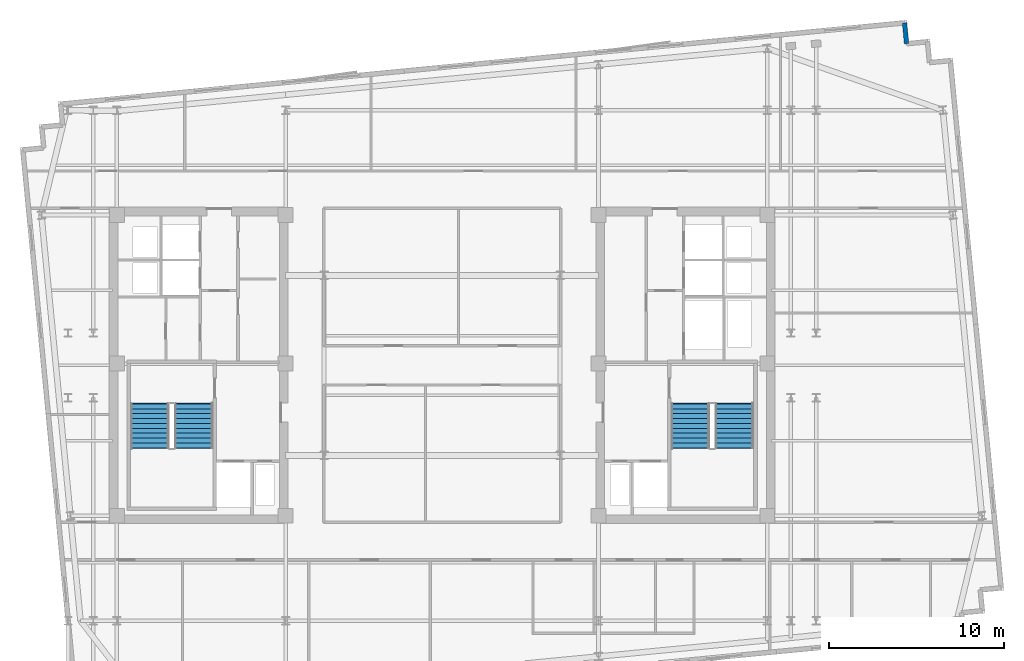
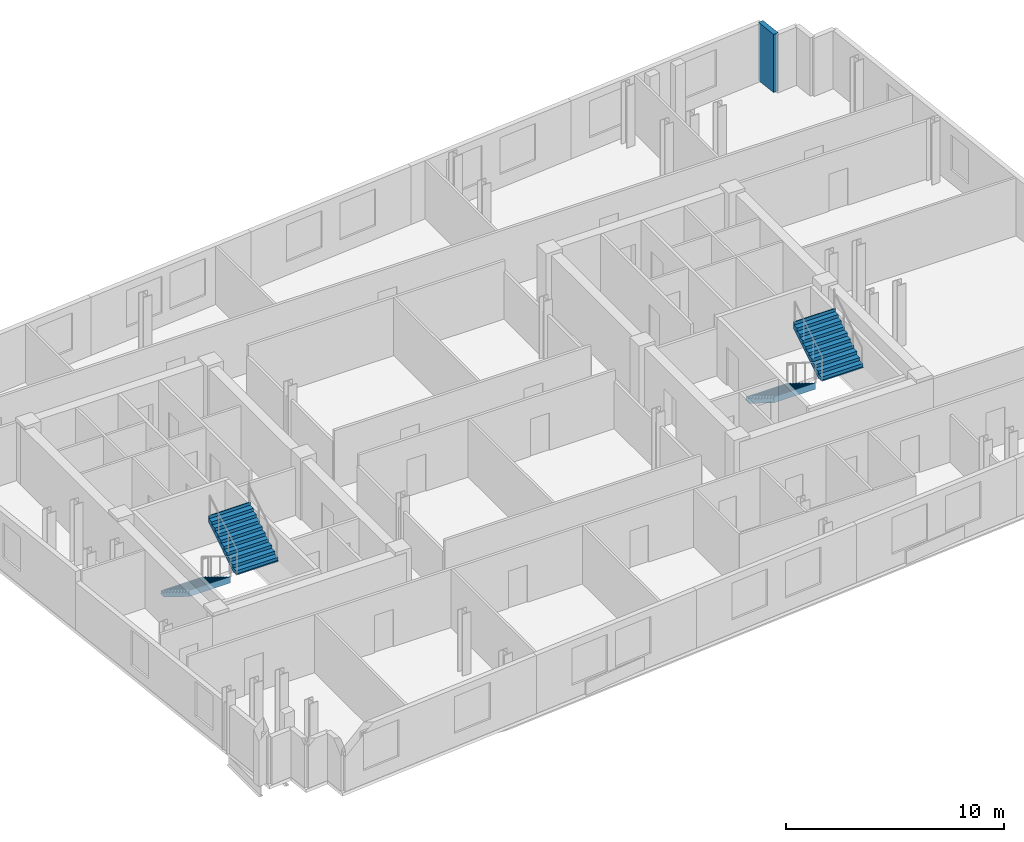
# One storey, part 7 of 9: 4 stair flights, 1 wall, 2 elements without a shape of their own.
"""IFC4 building model written with IfcOpenShell, lengths in metres."""

from ifc_helpers import new_model, si_unit, direction, frame, frame_2d, origin, place, context, subcontext, project, spatial, polyline, rectangle, outline, extrude, material, layer, layer_set, type_object, element, aggregate, save


model = new_model("IFC4")

# Units and contexts
model_context = context("Model", 3, precision=1e-05, world=origin(), true_north=direction((0.0, 1.0)))
body_context = subcontext(model_context, "Body", "Model", "MODEL_VIEW")
ifc_project = project(units=[si_unit("LENGTHUNIT", "METRE"), si_unit("AREAUNIT", "SQUARE_METRE"), si_unit("VOLUMEUNIT", "CUBIC_METRE"), si_unit("PLANEANGLEUNIT", "RADIAN"), si_unit("MASSUNIT", "GRAM", prefix="KILO")], contexts=[model_context])

# Site, building, storey
site_placement = place(None, origin())
site = spatial("IfcSite", under=ifc_project, at=site_placement, CompositionType="ELEMENT")
building_placement = place(site_placement, origin())
building = spatial("IfcBuilding", under=site, at=building_placement, Name="Velakula Bourse", CompositionType="ELEMENT")
storey_placement = place(building_placement, frame((0.0, 0.0, 262.050048828125)))
storey = spatial("IfcBuildingStorey", under=building, at=storey_placement, Name="L71", CompositionType="ELEMENT", Elevation=262.050048828125)

# Wall
ifc_material_1 = material(Name="Buff kilned clay facing brick masonry", Category="masonry")
ifc_layer_1 = layer(ifc_material_1, 0.260009765625, Name="Buff kilned clay facing brick masonry", Category="masonry")
ifc_layer_set_1 = layer_set([ifc_layer_1], Name="Buff kilned clay facing brick masonry")
wall_type = type_object("IfcWallType", Name="WL-EXT-BRK-260", PredefinedType="STANDARD", material=ifc_layer_set_1)
wall_placement = place(storey_placement, frame((26.5712890625, 18.39892578125, 0.0), z_axis=(0.0, 0.0, 1.0), x_axis=(-0.095817067274, 0.995398960025, 0.0)))
element("IfcWall", 1, at=wall_placement, inside=storey, type_object=wall_type, Name="L71 Serrated Corner Brick Wall NE-4", PredefinedType="STANDARD", context=body_context, shape_type="SweptSolid", body=[
    extrude(rectangle(XDim=1.2001953125, YDim=0.260009765625, at=frame_2d((0.60009765625, 0.0))), origin(), (0.0, 0.0, 1.0), 3.25),
])

# Stair, stair flights
ifc_material_2 = material(Name="Concrete M45 (fck 45 MPa)", Category="concrete")
stair_type = type_object("IfcStairType", Name="STR-DOG-390", PredefinedType="HALF_TURN_STAIR", material=ifc_material_2)
stair_1_placement = place(storey_placement, origin())
stair_1 = element("IfcStair", 2, at=stair_1_placement, inside=storey, type_object=stair_type, Name="L71 West Core Exit Stair ST-W1", PredefinedType="HALF_TURN_STAIR")
ifc_layer_2 = layer(ifc_material_2, 0.195068359375, Name="Concrete M45 (fck 45 MPa)", Category="concrete")
ifc_layer_set_2 = layer_set([ifc_layer_2], Name="Concrete M45 (fck 45 MPa)")
stair_flight_type = type_object("IfcStairFlightType", Name="FLT-DOG-390", PredefinedType="STRAIGHT", material=ifc_layer_set_2)
stair_flight_1_placement = place(storey_placement, frame((-16.720947265625, -2.199951171875, 0.0), z_axis=(0.0, 0.0, 1.0), x_axis=(0.0, -1.0, 0.0)))
stair_flight_1 = element("IfcStairFlight", 3, at=stair_flight_1_placement, type_object=stair_flight_type, Name="ST-W1 flight 1", NumberOfRisers=10, NumberOfTreads=9, PredefinedType="STRAIGHT", RiserHeight=0.1725, TreadLength=0.28, context=body_context, shape_type="SweptSolid", body=[
    extrude(outline(polyline([(-0.044921875, -0.0400390625), (-0.044921875, -0.036865234375), (-0.044921875, -0.033935546875), (-0.044921875, -0.03076171875), (-0.044921875, -0.027587890625), (-0.044921875, -0.024658203125), (-0.044921875, -0.021484375), (-0.044921875, -0.0185546875), (-0.044921875, -0.015380859375), (-0.044921875, -0.01220703125), (-0.044921875, -0.00927734375), (-0.044921875, -0.006103515625), (-0.044921875, -0.003173828125), (-0.044921875, 0.0), (0.0, 0.0), (0.0, 0.172607421875), (0.280029296875, 0.172607421875), (0.280029296875, 0.344970703125), (0.56005859375, 0.344970703125), (0.56005859375, 0.517578125), (0.840087890625, 0.517578125), (0.840087890625, 0.68994140625), (1.1201171875, 0.68994140625), (1.1201171875, 0.862548828125), (1.39990234375, 0.862548828125), (1.39990234375, 1.034912109375), (1.679931640625, 1.034912109375), (1.679931640625, 1.20751953125), (1.9599609375, 1.20751953125), (1.9599609375, 1.3798828125), (2.239990234375, 1.3798828125), (2.239990234375, 1.552490234375), (2.52001953125, 1.552490234375), (2.52001953125, 1.72509765625), (2.56494140625, 1.72509765625), (2.56494140625, 1.7001953125), (2.56494140625, 1.67529296875), (2.56494140625, 1.650390625), (2.56494140625, 1.62548828125), (2.56494140625, 1.6005859375), (2.56494140625, 1.57568359375), (2.56494140625, 1.55078125), (2.56494140625, 1.52587890625), (2.56494140625, 1.5009765625), (2.56494140625, 1.47607421875), (2.56494140625, 1.451171875), (2.56494140625, 1.42626953125), (2.56494140625, 1.4013671875), (2.56494140625, 1.37646484375), (0.285888671875, -0.0400390625), (-0.044921875, -0.0400390625)])), frame((0.0, 1.09912109375, 0.0), z_axis=(0.0, -1.0, 0.0), x_axis=(1.0, 0.0, 0.0)), (0.0, 0.0, 1.0), 2.197998046875),
])
stair_flight_2_placement = place(storey_placement, frame((-14.198974609375, -4.719970703125, 1.724853515625), z_axis=(0.0, 0.0, 1.0), x_axis=(0.0, 1.0, 0.0)))
stair_flight_2 = element("IfcStairFlight", 4, at=stair_flight_2_placement, type_object=stair_flight_type, Name="ST-W1 flight 2", NumberOfRisers=10, NumberOfTreads=9, PredefinedType="STRAIGHT", RiserHeight=0.1725, TreadLength=0.28, context=body_context, shape_type="SweptSolid", body=[
    extrude(outline(polyline([(-0.044921875, -0.0400390625), (-0.044921875, -0.036865234375), (-0.044921875, -0.033935546875), (-0.044921875, -0.03076171875), (-0.044921875, -0.027587890625), (-0.044921875, -0.024658203125), (-0.044921875, -0.021484375), (-0.044921875, -0.0185546875), (-0.044921875, -0.015380859375), (-0.044921875, -0.01220703125), (-0.044921875, -0.00927734375), (-0.044921875, -0.006103515625), (-0.044921875, -0.003173828125), (-0.044921875, 0.0), (0.0, 0.0), (0.0, 0.172607421875), (0.280029296875, 0.172607421875), (0.280029296875, 0.344970703125), (0.56005859375, 0.344970703125), (0.56005859375, 0.517578125), (0.840087890625, 0.517578125), (0.840087890625, 0.68994140625), (1.1201171875, 0.68994140625), (1.1201171875, 0.862548828125), (1.39990234375, 0.862548828125), (1.39990234375, 1.034912109375), (1.679931640625, 1.034912109375), (1.679931640625, 1.20751953125), (1.9599609375, 1.20751953125), (1.9599609375, 1.3798828125), (2.239990234375, 1.3798828125), (2.239990234375, 1.552490234375), (2.52001953125, 1.552490234375), (2.52001953125, 1.72509765625), (2.56494140625, 1.72509765625), (2.56494140625, 1.7001953125), (2.56494140625, 1.67529296875), (2.56494140625, 1.650390625), (2.56494140625, 1.62548828125), (2.56494140625, 1.6005859375), (2.56494140625, 1.57568359375), (2.56494140625, 1.55078125), (2.56494140625, 1.52587890625), (2.56494140625, 1.5009765625), (2.56494140625, 1.47607421875), (2.56494140625, 1.451171875), (2.56494140625, 1.42626953125), (2.56494140625, 1.4013671875), (2.56494140625, 1.37646484375), (0.285888671875, -0.0400390625), (-0.044921875, -0.0400390625)])), frame((0.0, 1.09912109375, 0.0), z_axis=(0.0, -1.0, 0.0), x_axis=(1.0, 0.0, 0.0)), (0.0, 0.0, 1.0), 2.197998046875),
])
aggregate(stair_1, [stair_flight_1, stair_flight_2])

stair_2_placement = place(storey_placement, origin())
stair_2 = element("IfcStair", 5, at=stair_2_placement, inside=storey, type_object=stair_type, Name="L71 East Core Exit Stair ST-E1", PredefinedType="HALF_TURN_STAIR")
stair_flight_3_placement = place(storey_placement, frame((14.198974609375, -2.199951171875, 0.0), z_axis=(0.0, 0.0, 1.0), x_axis=(0.0, -1.0, 0.0)))
stair_flight_3 = element("IfcStairFlight", 6, at=stair_flight_3_placement, type_object=stair_flight_type, Name="ST-E1 flight 1", NumberOfRisers=10, NumberOfTreads=9, PredefinedType="STRAIGHT", RiserHeight=0.1725, TreadLength=0.28, context=body_context, shape_type="SweptSolid", body=[
    extrude(outline(polyline([(-0.044921875, -0.0400390625), (-0.044921875, -0.036865234375), (-0.044921875, -0.033935546875), (-0.044921875, -0.03076171875), (-0.044921875, -0.027587890625), (-0.044921875, -0.024658203125), (-0.044921875, -0.021484375), (-0.044921875, -0.0185546875), (-0.044921875, -0.015380859375), (-0.044921875, -0.01220703125), (-0.044921875, -0.00927734375), (-0.044921875, -0.006103515625), (-0.044921875, -0.003173828125), (-0.044921875, 0.0), (0.0, 0.0), (0.0, 0.172607421875), (0.280029296875, 0.172607421875), (0.280029296875, 0.344970703125), (0.56005859375, 0.344970703125), (0.56005859375, 0.517578125), (0.840087890625, 0.517578125), (0.840087890625, 0.68994140625), (1.1201171875, 0.68994140625), (1.1201171875, 0.862548828125), (1.39990234375, 0.862548828125), (1.39990234375, 1.034912109375), (1.679931640625, 1.034912109375), (1.679931640625, 1.20751953125), (1.9599609375, 1.20751953125), (1.9599609375, 1.3798828125), (2.239990234375, 1.3798828125), (2.239990234375, 1.552490234375), (2.52001953125, 1.552490234375), (2.52001953125, 1.72509765625), (2.56494140625, 1.72509765625), (2.56494140625, 1.7001953125), (2.56494140625, 1.67529296875), (2.56494140625, 1.650390625), (2.56494140625, 1.62548828125), (2.56494140625, 1.6005859375), (2.56494140625, 1.57568359375), (2.56494140625, 1.55078125), (2.56494140625, 1.52587890625), (2.56494140625, 1.5009765625), (2.56494140625, 1.47607421875), (2.56494140625, 1.451171875), (2.56494140625, 1.42626953125), (2.56494140625, 1.4013671875), (2.56494140625, 1.37646484375), (0.285888671875, -0.0400390625), (-0.044921875, -0.0400390625)])), frame((0.0, 1.09912109375, 0.0), z_axis=(0.0, -1.0, 0.0), x_axis=(1.0, 0.0, 0.0)), (0.0, 0.0, 1.0), 2.197998046875),
])
stair_flight_4_placement = place(storey_placement, frame((16.720947265625, -4.719970703125, 1.724853515625), z_axis=(0.0, 0.0, 1.0), x_axis=(0.0, 1.0, 0.0)))
stair_flight_4 = element("IfcStairFlight", 7, at=stair_flight_4_placement, type_object=stair_flight_type, Name="ST-E1 flight 2", NumberOfRisers=10, NumberOfTreads=9, PredefinedType="STRAIGHT", RiserHeight=0.1725, TreadLength=0.28, context=body_context, shape_type="SweptSolid", body=[
    extrude(outline(polyline([(-0.044921875, -0.0400390625), (-0.044921875, -0.036865234375), (-0.044921875, -0.033935546875), (-0.044921875, -0.03076171875), (-0.044921875, -0.027587890625), (-0.044921875, -0.024658203125), (-0.044921875, -0.021484375), (-0.044921875, -0.0185546875), (-0.044921875, -0.015380859375), (-0.044921875, -0.01220703125), (-0.044921875, -0.00927734375), (-0.044921875, -0.006103515625), (-0.044921875, -0.003173828125), (-0.044921875, 0.0), (0.0, 0.0), (0.0, 0.172607421875), (0.280029296875, 0.172607421875), (0.280029296875, 0.344970703125), (0.56005859375, 0.344970703125), (0.56005859375, 0.517578125), (0.840087890625, 0.517578125), (0.840087890625, 0.68994140625), (1.1201171875, 0.68994140625), (1.1201171875, 0.862548828125), (1.39990234375, 0.862548828125), (1.39990234375, 1.034912109375), (1.679931640625, 1.034912109375), (1.679931640625, 1.20751953125), (1.9599609375, 1.20751953125), (1.9599609375, 1.3798828125), (2.239990234375, 1.3798828125), (2.239990234375, 1.552490234375), (2.52001953125, 1.552490234375), (2.52001953125, 1.72509765625), (2.56494140625, 1.72509765625), (2.56494140625, 1.7001953125), (2.56494140625, 1.67529296875), (2.56494140625, 1.650390625), (2.56494140625, 1.62548828125), (2.56494140625, 1.6005859375), (2.56494140625, 1.57568359375), (2.56494140625, 1.55078125), (2.56494140625, 1.52587890625), (2.56494140625, 1.5009765625), (2.56494140625, 1.47607421875), (2.56494140625, 1.451171875), (2.56494140625, 1.42626953125), (2.56494140625, 1.4013671875), (2.56494140625, 1.37646484375), (0.285888671875, -0.0400390625), (-0.044921875, -0.0400390625)])), frame((0.0, 1.09912109375, 0.0), z_axis=(0.0, -1.0, 0.0), x_axis=(1.0, 0.0, 0.0)), (0.0, 0.0, 1.0), 2.197998046875),
])
aggregate(stair_2, [stair_flight_3, stair_flight_4])

save(model, "model.ifc")
